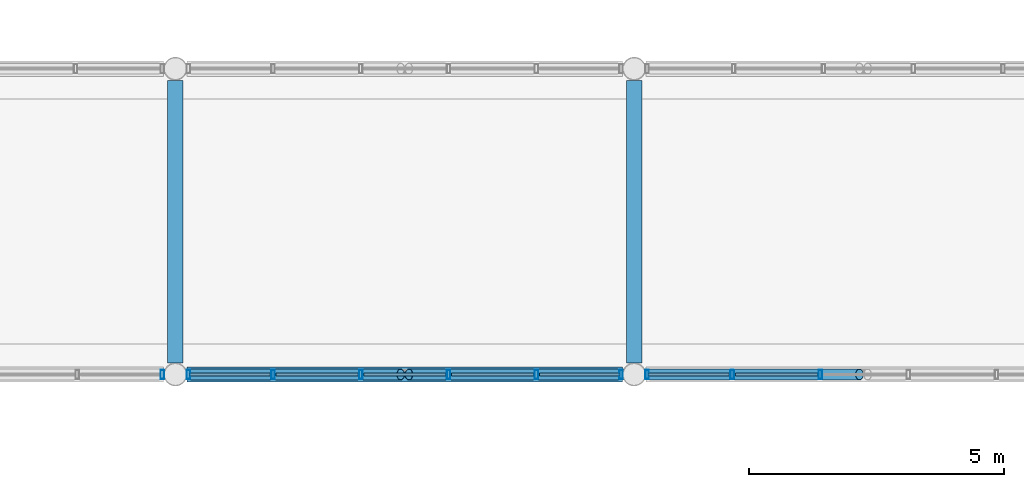
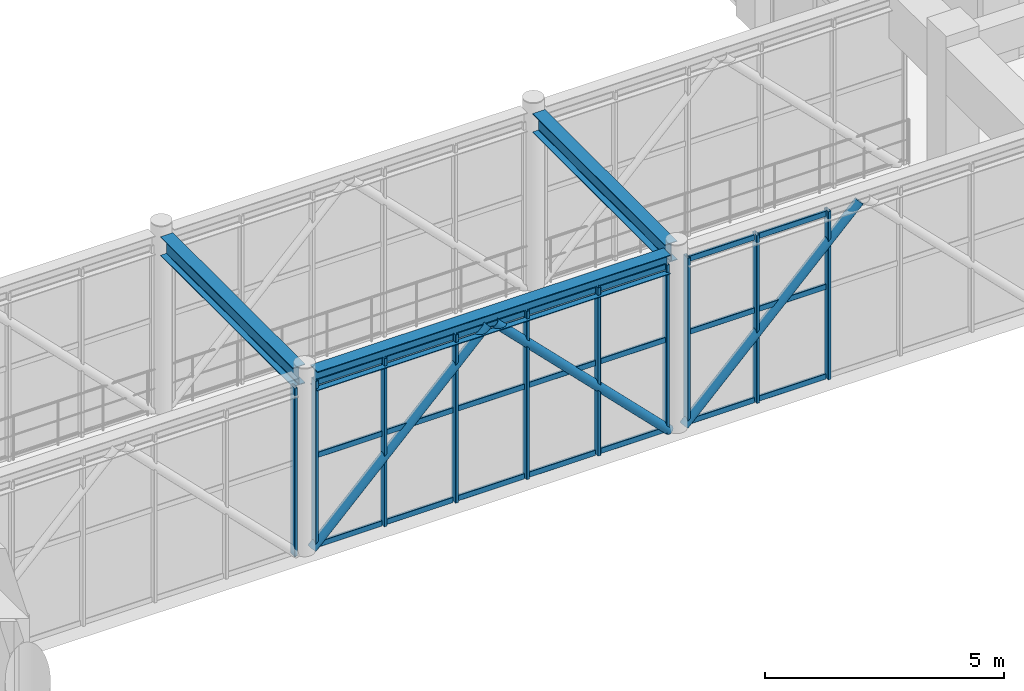
# One storey, part 59 of 178: 34 members, 3 beams, 3 elements without a shape of their own.
"""IFC4 building model written with IfcOpenShell, lengths in metres."""

from ifc_helpers import new_model, si_unit, derived_unit, direction, frame, origin, origin_2d, place, context, subcontext, project, spatial, hollow_rectangle, hollow_circle, i_section, extrude, material, material_profile, profile_set, type_object, element, aggregate, save


model = new_model("IFC4")

# Units and contexts
model_context = context("Model", 3, precision=1e-05, world=origin(), true_north=direction((0.0, 1.0)))
body_context = subcontext(model_context, "Body", "Model", "MODEL_VIEW")
ifc_project = project(units=[si_unit("LENGTHUNIT", "METRE"), si_unit("AREAUNIT", "SQUARE_METRE"), si_unit("VOLUMEUNIT", "CUBIC_METRE"), si_unit("PLANEANGLEUNIT", "RADIAN"), si_unit("MASSUNIT", "GRAM", prefix="KILO"), derived_unit("THERMALTRANSMITTANCEUNIT", [(si_unit("MASSUNIT", "GRAM", prefix="KILO"), 1), (si_unit("TIMEUNIT", "SECOND"), -3), (si_unit("THERMODYNAMICTEMPERATUREUNIT", "KELVIN"), -1)])], contexts=[model_context])

# Site, building, storey
site_placement = place(None, origin())
site = spatial("IfcSite", under=ifc_project, at=site_placement, CompositionType="ELEMENT")
building_placement = place(site_placement, origin())
building = spatial("IfcBuilding", under=site, at=building_placement, Name="Zhenchuan Archway Interchange", CompositionType="ELEMENT")
storey_placement = place(building_placement, frame((0.0, 0.0, 5.39990234375)))
storey = spatial("IfcBuildingStorey", under=building, at=storey_placement, Name="L01", CompositionType="ELEMENT", Elevation=5.39990234375)

# Beams
ifc_material_1 = material(Name="Steel Q390", Category="steel")
ifc_material_profile_1 = material_profile(ifc_material_1, i_section(OverallWidth=0.300048828125, OverallDepth=0.488037109375, WebThickness=0.010986328125, FlangeThickness=0.01806640625, FilletRadius=0.02197265625, at=origin_2d()), Name="HM 488x300")
ifc_profile_set_1 = profile_set([ifc_material_profile_1], Name="Steel Q390")
beam_type = type_object("IfcBeamType", Name="BM_STL_HM488", PredefinedType="BEAM", material=ifc_profile_set_1)
beam_placement = place(storey_placement, frame((81.228515625, 52.0, 4.336181640625), z_axis=(1.0, 0.0, 0.0), x_axis=(0.0, 1.0, 0.0)))
element("IfcBeam", 1, at=beam_placement, inside=storey, type_object=beam_type, Name="Footbridge roof chord girder M-S (L01)", PredefinedType="BEAM", context=body_context, shape_type="SweptSolid", body=[
    extrude(i_section(OverallWidth=0.300048828125, OverallDepth=0.488037109375, WebThickness=0.010986328125, FlangeThickness=0.01806640625, FilletRadius=0.02197265625, at=origin_2d()), origin(), (0.0, 0.0, 1.0), 8.54296875),
])
for number, where, z_axis, x_axis, name in (
    (2, (81.0, 52.22998046875, 4.336181640625), (0.0, 1.0, 0.0), (-1.0, 0.0, 0.0), "Footbridge roof portal beam M1 (L01)"),
    (3, (90.0, 52.22998046875, 4.336181640625), (0.0, 1.0, 0.0), (-1.0, 0.0, 0.0), "Footbridge roof portal beam M2 (L01)"),
):
    element("IfcBeam", number, at=place(storey_placement, frame(where, z_axis=z_axis, x_axis=x_axis)), inside=storey, type_object=beam_type, Name=name, PredefinedType="BEAM", context=body_context, shape_type="SweptSolid", body=[
        extrude(i_section(OverallWidth=0.300048828125, OverallDepth=0.488037109375, WebThickness=0.010986328125, FlangeThickness=0.01806640625, FilletRadius=0.02197265625, at=origin_2d()), origin(), (0.0, 0.0, 1.0), 5.5400390625),
    ])

# Curtain wall, members
ifc_material_2 = material(Name="Anodised Aluminium", Category="aluminium")
curtain_wall_type_1 = type_object("IfcCurtainWallType", Name="CW_UNIT_4", PredefinedType="NOTDEFINED", material=ifc_material_2)
curtain_wall_1_placement = place(storey_placement, origin())
curtain_wall_1 = element("IfcCurtainWall", 4, at=curtain_wall_1_placement, inside=storey, type_object=curtain_wall_type_1, Name="Unitised curtain wall CW:L01:075", PredefinedType="NOTDEFINED")
ifc_material_profile_2 = material_profile(ifc_material_2, hollow_rectangle(XDim=0.070068359375, YDim=0.179931640625, WallThickness=0.00390625, InnerFilletRadius=0.00390625, OuterFilletRadius=0.008056640625, at=origin_2d()), Name="ALU 180x70x4")
ifc_profile_set_2 = profile_set([ifc_material_profile_2], Name="Anodised Aluminium")
member_type_1 = type_object("IfcMemberType", Name="CW_MUL_180", PredefinedType="MULLION", material=ifc_profile_set_2)
member_1_placement = place(storey_placement, frame((93.6533203125, 52.0, 0.0), z_axis=(0.0, 0.0, 1.0), x_axis=(1.0, 0.0, 0.0)))
member_1 = element("IfcMember", 5, at=member_1_placement, type_object=member_type_1, Name="CW:L01:075 mullion 3", PredefinedType="MULLION", context=body_context, shape_type="SweptSolid", body=[
    extrude(hollow_rectangle(XDim=0.070068359375, YDim=0.179931640625, WallThickness=0.00390625, InnerFilletRadius=0.00390625, OuterFilletRadius=0.008056640625, at=origin_2d()), origin(), (0.0, 0.0, 1.0), 4.300048828125),
])
member_2_placement = place(storey_placement, frame((91.92431640625, 52.0, 0.0), z_axis=(0.0, 0.0, 1.0), x_axis=(1.0, 0.0, 0.0)))
member_2 = element("IfcMember", 6, at=member_2_placement, type_object=member_type_1, Name="CW:L01:075 mullion 4", PredefinedType="MULLION", context=body_context, shape_type="SweptSolid", body=[
    extrude(hollow_rectangle(XDim=0.070068359375, YDim=0.179931640625, WallThickness=0.00390625, InnerFilletRadius=0.00390625, OuterFilletRadius=0.008056640625, at=origin_2d()), origin(), (0.0, 0.0, 1.0), 4.300048828125),
])
member_3_placement = place(storey_placement, frame((90.255615234375, 52.0, 0.0), z_axis=(0.0, 0.0, 1.0), x_axis=(1.0, 0.0, 0.0)))
member_3 = element("IfcMember", 7, at=member_3_placement, type_object=member_type_1, Name="CW:L01:075 mullion 5", PredefinedType="MULLION", context=body_context, shape_type="SweptSolid", body=[
    extrude(hollow_rectangle(XDim=0.070068359375, YDim=0.179931640625, WallThickness=0.00390625, InnerFilletRadius=0.00390625, OuterFilletRadius=0.008056640625, at=origin_2d()), origin(), (0.0, 0.0, 1.0), 4.300048828125),
])

curtain_wall_type_2 = type_object("IfcCurtainWallType", Name="CW_UNIT_1", PredefinedType="NOTDEFINED", material=ifc_material_2)
curtain_wall_2_placement = place(storey_placement, origin())
curtain_wall_2 = element("IfcCurtainWall", 8, at=curtain_wall_2_placement, inside=storey, type_object=curtain_wall_type_2, Name="Unitised curtain wall CW:L01:076", PredefinedType="NOTDEFINED")
member_4_placement = place(storey_placement, frame((89.744384765625, 52.0, 0.0), z_axis=(0.0, 0.0, 1.0), x_axis=(1.0, 0.0, 0.0)))
member_4 = element("IfcMember", 9, at=member_4_placement, type_object=member_type_1, Name="CW:L01:076 mullion 0", PredefinedType="MULLION", context=body_context, shape_type="SweptSolid", body=[
    extrude(hollow_rectangle(XDim=0.070068359375, YDim=0.179931640625, WallThickness=0.00390625, InnerFilletRadius=0.00390625, OuterFilletRadius=0.008056640625, at=origin_2d()), origin(), (0.0, 0.0, 1.0), 4.300048828125),
])
member_5_placement = place(storey_placement, frame((88.082763671875, 52.0, 0.0), z_axis=(0.0, 0.0, 1.0), x_axis=(1.0, 0.0, 0.0)))
member_5 = element("IfcMember", 10, at=member_5_placement, type_object=member_type_1, Name="CW:L01:076 mullion 1", PredefinedType="MULLION", context=body_context, shape_type="SweptSolid", body=[
    extrude(hollow_rectangle(XDim=0.070068359375, YDim=0.179931640625, WallThickness=0.00390625, InnerFilletRadius=0.00390625, OuterFilletRadius=0.008056640625, at=origin_2d()), origin(), (0.0, 0.0, 1.0), 4.300048828125),
])
member_6_placement = place(storey_placement, frame((86.36083984375, 52.0, 0.0), z_axis=(0.0, 0.0, 1.0), x_axis=(1.0, 0.0, 0.0)))
member_6 = element("IfcMember", 11, at=member_6_placement, type_object=member_type_1, Name="CW:L01:076 mullion 2", PredefinedType="MULLION", context=body_context, shape_type="SweptSolid", body=[
    extrude(hollow_rectangle(XDim=0.070068359375, YDim=0.179931640625, WallThickness=0.00390625, InnerFilletRadius=0.00390625, OuterFilletRadius=0.008056640625, at=origin_2d()), origin(), (0.0, 0.0, 1.0), 4.300048828125),
])
member_7_placement = place(storey_placement, frame((84.63916015625, 52.0, 0.0), z_axis=(0.0, 0.0, 1.0), x_axis=(1.0, 0.0, 0.0)))
member_7 = element("IfcMember", 12, at=member_7_placement, type_object=member_type_1, Name="CW:L01:076 mullion 3", PredefinedType="MULLION", context=body_context, shape_type="SweptSolid", body=[
    extrude(hollow_rectangle(XDim=0.070068359375, YDim=0.179931640625, WallThickness=0.00390625, InnerFilletRadius=0.00390625, OuterFilletRadius=0.008056640625, at=origin_2d()), origin(), (0.0, 0.0, 1.0), 4.300048828125),
])
member_8_placement = place(storey_placement, frame((82.917236328125, 52.0, 0.0), z_axis=(0.0, 0.0, 1.0), x_axis=(1.0, 0.0, 0.0)))
member_8 = element("IfcMember", 13, at=member_8_placement, type_object=member_type_1, Name="CW:L01:076 mullion 4", PredefinedType="MULLION", context=body_context, shape_type="SweptSolid", body=[
    extrude(hollow_rectangle(XDim=0.070068359375, YDim=0.179931640625, WallThickness=0.00390625, InnerFilletRadius=0.00390625, OuterFilletRadius=0.008056640625, at=origin_2d()), origin(), (0.0, 0.0, 1.0), 4.300048828125),
])
member_9_placement = place(storey_placement, frame((81.255615234375, 52.0, 0.0), z_axis=(0.0, 0.0, 1.0), x_axis=(1.0, 0.0, 0.0)))
member_9 = element("IfcMember", 14, at=member_9_placement, type_object=member_type_1, Name="CW:L01:076 mullion 5", PredefinedType="MULLION", context=body_context, shape_type="SweptSolid", body=[
    extrude(hollow_rectangle(XDim=0.070068359375, YDim=0.179931640625, WallThickness=0.00390625, InnerFilletRadius=0.00390625, OuterFilletRadius=0.008056640625, at=origin_2d()), origin(), (0.0, 0.0, 1.0), 4.300048828125),
])

# Curtain wall, member
curtain_wall_type_3 = type_object("IfcCurtainWallType", Name="CW_UNIT_2", PredefinedType="NOTDEFINED", material=ifc_material_2)
curtain_wall_3_placement = place(storey_placement, origin())
curtain_wall_3 = element("IfcCurtainWall", 15, at=curtain_wall_3_placement, inside=storey, type_object=curtain_wall_type_3, Name="Unitised curtain wall CW:L01:077", PredefinedType="NOTDEFINED")
member_10_placement = place(storey_placement, frame((80.744384765625, 52.0, 0.0), z_axis=(0.0, 0.0, 1.0), x_axis=(1.0, 0.0, 0.0)))
member_10 = element("IfcMember", 16, at=member_10_placement, type_object=member_type_1, Name="CW:L01:077 mullion 0", PredefinedType="MULLION", context=body_context, shape_type="SweptSolid", body=[
    extrude(hollow_rectangle(XDim=0.070068359375, YDim=0.179931640625, WallThickness=0.00390625, InnerFilletRadius=0.00390625, OuterFilletRadius=0.008056640625, at=origin_2d()), origin(), (0.0, 0.0, 1.0), 4.300048828125),
])
aggregate(curtain_wall_3, [member_10])

# Member
ifc_material_profile_3 = material_profile(ifc_material_2, hollow_rectangle(XDim=0.06005859375, YDim=0.139892578125, WallThickness=0.00341796875, InnerFilletRadius=0.00341796875, OuterFilletRadius=0.007080078125, at=origin_2d()), Name="ALU 140x60x3.5")
ifc_profile_set_3 = profile_set([ifc_material_profile_3], Name="Anodised Aluminium")
member_type_2 = type_object("IfcMemberType", Name="CW_TRN_140", PredefinedType="USERDEFINED", material=ifc_profile_set_3)
member_11_placement = place(storey_placement, frame((93.59326171875, 52.0, 0.06005859375), z_axis=(-1.0, 0.0, 0.0), x_axis=(0.0, -1.0, 0.0)))
member_11 = element("IfcMember", 17, at=member_11_placement, type_object=member_type_2, Name="CW:L01:075 transom 3-1", ObjectType="TRANSOM", PredefinedType="USERDEFINED", context=body_context, shape_type="SweptSolid", body=[
    extrude(hollow_rectangle(XDim=0.06005859375, YDim=0.139892578125, WallThickness=0.00341796875, InnerFilletRadius=0.00341796875, OuterFilletRadius=0.007080078125, at=origin_2d()), origin(), (0.0, 0.0, 1.0), 1.60888671875),
])

member_12_placement = place(storey_placement, frame((93.59326171875, 52.0, 2.35400390625), z_axis=(-1.0, 0.0, 0.0), x_axis=(0.0, -1.0, 0.0)))
member_12 = element("IfcMember", 18, at=member_12_placement, type_object=member_type_2, Name="CW:L01:075 transom 3-2", ObjectType="TRANSOM", PredefinedType="USERDEFINED", context=body_context, shape_type="SweptSolid", body=[
    extrude(hollow_rectangle(XDim=0.06005859375, YDim=0.139892578125, WallThickness=0.00341796875, InnerFilletRadius=0.00341796875, OuterFilletRadius=0.007080078125, at=origin_2d()), origin(), (0.0, 0.0, 1.0), 1.60888671875),
])

member_13_placement = place(storey_placement, frame((93.59326171875, 52.0, 4.22021484375), z_axis=(-1.0, 0.0, 0.0), x_axis=(0.0, -1.0, 0.0)))
member_13 = element("IfcMember", 19, at=member_13_placement, type_object=member_type_2, Name="CW:L01:075 transom 3-3", ObjectType="TRANSOM", PredefinedType="USERDEFINED", context=body_context, shape_type="SweptSolid", body=[
    extrude(hollow_rectangle(XDim=0.06005859375, YDim=0.139892578125, WallThickness=0.00341796875, InnerFilletRadius=0.00341796875, OuterFilletRadius=0.007080078125, at=origin_2d()), origin(), (0.0, 0.0, 1.0), 1.60888671875),
])

member_14_placement = place(storey_placement, frame((91.864501953125, 52.0, 0.06005859375), z_axis=(-1.0, 0.0, 0.0), x_axis=(0.0, -1.0, 0.0)))
member_14 = element("IfcMember", 20, at=member_14_placement, type_object=member_type_2, Name="CW:L01:075 transom 4-1", ObjectType="TRANSOM", PredefinedType="USERDEFINED", context=body_context, shape_type="SweptSolid", body=[
    extrude(hollow_rectangle(XDim=0.06005859375, YDim=0.139892578125, WallThickness=0.00341796875, InnerFilletRadius=0.00341796875, OuterFilletRadius=0.007080078125, at=origin_2d()), origin(), (0.0, 0.0, 1.0), 1.589111328125),
])

member_15_placement = place(storey_placement, frame((91.864501953125, 52.0, 2.35400390625), z_axis=(-1.0, 0.0, 0.0), x_axis=(0.0, -1.0, 0.0)))
member_15 = element("IfcMember", 21, at=member_15_placement, type_object=member_type_2, Name="CW:L01:075 transom 4-2", ObjectType="TRANSOM", PredefinedType="USERDEFINED", context=body_context, shape_type="SweptSolid", body=[
    extrude(hollow_rectangle(XDim=0.06005859375, YDim=0.139892578125, WallThickness=0.00341796875, InnerFilletRadius=0.00341796875, OuterFilletRadius=0.007080078125, at=origin_2d()), origin(), (0.0, 0.0, 1.0), 1.589111328125),
])

member_16_placement = place(storey_placement, frame((91.864501953125, 52.0, 4.22021484375), z_axis=(-1.0, 0.0, 0.0), x_axis=(0.0, -1.0, 0.0)))
member_16 = element("IfcMember", 22, at=member_16_placement, type_object=member_type_2, Name="CW:L01:075 transom 4-3", ObjectType="TRANSOM", PredefinedType="USERDEFINED", context=body_context, shape_type="SweptSolid", body=[
    extrude(hollow_rectangle(XDim=0.06005859375, YDim=0.139892578125, WallThickness=0.00341796875, InnerFilletRadius=0.00341796875, OuterFilletRadius=0.007080078125, at=origin_2d()), origin(), (0.0, 0.0, 1.0), 1.589111328125),
])

aggregate(curtain_wall_1, [member_1, member_2, member_3, member_11, member_12, member_13, member_14, member_15, member_16])

member_17_placement = place(storey_placement, frame((89.724609375, 52.0, 0.06005859375), z_axis=(-1.0, 0.0, 0.0), x_axis=(0.0, -1.0, 0.0)))
member_17 = element("IfcMember", 23, at=member_17_placement, type_object=member_type_2, Name="CW:L01:076 transom 0-1", ObjectType="TRANSOM", PredefinedType="USERDEFINED", context=body_context, shape_type="SweptSolid", body=[
    extrude(hollow_rectangle(XDim=0.06005859375, YDim=0.139892578125, WallThickness=0.00341796875, InnerFilletRadius=0.00341796875, OuterFilletRadius=0.007080078125, at=origin_2d()), origin(), (0.0, 0.0, 1.0), 1.58203125),
])

member_18_placement = place(storey_placement, frame((89.724609375, 52.0, 2.35400390625), z_axis=(-1.0, 0.0, 0.0), x_axis=(0.0, -1.0, 0.0)))
member_18 = element("IfcMember", 24, at=member_18_placement, type_object=member_type_2, Name="CW:L01:076 transom 0-2", ObjectType="TRANSOM", PredefinedType="USERDEFINED", context=body_context, shape_type="SweptSolid", body=[
    extrude(hollow_rectangle(XDim=0.06005859375, YDim=0.139892578125, WallThickness=0.00341796875, InnerFilletRadius=0.00341796875, OuterFilletRadius=0.007080078125, at=origin_2d()), origin(), (0.0, 0.0, 1.0), 1.58203125),
])

member_19_placement = place(storey_placement, frame((89.724609375, 52.0, 4.22021484375), z_axis=(-1.0, 0.0, 0.0), x_axis=(0.0, -1.0, 0.0)))
member_19 = element("IfcMember", 25, at=member_19_placement, type_object=member_type_2, Name="CW:L01:076 transom 0-3", ObjectType="TRANSOM", PredefinedType="USERDEFINED", context=body_context, shape_type="SweptSolid", body=[
    extrude(hollow_rectangle(XDim=0.06005859375, YDim=0.139892578125, WallThickness=0.00341796875, InnerFilletRadius=0.00341796875, OuterFilletRadius=0.007080078125, at=origin_2d()), origin(), (0.0, 0.0, 1.0), 1.58203125),
])

member_20_placement = place(storey_placement, frame((88.022705078125, 52.0, 0.06005859375), z_axis=(-1.0, 0.0, 0.0), x_axis=(0.0, -1.0, 0.0)))
member_20 = element("IfcMember", 26, at=member_20_placement, type_object=member_type_2, Name="CW:L01:076 transom 1-1", ObjectType="TRANSOM", PredefinedType="USERDEFINED", context=body_context, shape_type="SweptSolid", body=[
    extrude(hollow_rectangle(XDim=0.06005859375, YDim=0.139892578125, WallThickness=0.00341796875, InnerFilletRadius=0.00341796875, OuterFilletRadius=0.007080078125, at=origin_2d()), origin(), (0.0, 0.0, 1.0), 1.601806640625),
])

member_21_placement = place(storey_placement, frame((88.022705078125, 52.0, 2.35400390625), z_axis=(-1.0, 0.0, 0.0), x_axis=(0.0, -1.0, 0.0)))
member_21 = element("IfcMember", 27, at=member_21_placement, type_object=member_type_2, Name="CW:L01:076 transom 1-2", ObjectType="TRANSOM", PredefinedType="USERDEFINED", context=body_context, shape_type="SweptSolid", body=[
    extrude(hollow_rectangle(XDim=0.06005859375, YDim=0.139892578125, WallThickness=0.00341796875, InnerFilletRadius=0.00341796875, OuterFilletRadius=0.007080078125, at=origin_2d()), origin(), (0.0, 0.0, 1.0), 1.601806640625),
])

member_22_placement = place(storey_placement, frame((88.022705078125, 52.0, 4.22021484375), z_axis=(-1.0, 0.0, 0.0), x_axis=(0.0, -1.0, 0.0)))
member_22 = element("IfcMember", 28, at=member_22_placement, type_object=member_type_2, Name="CW:L01:076 transom 1-3", ObjectType="TRANSOM", PredefinedType="USERDEFINED", context=body_context, shape_type="SweptSolid", body=[
    extrude(hollow_rectangle(XDim=0.06005859375, YDim=0.139892578125, WallThickness=0.00341796875, InnerFilletRadius=0.00341796875, OuterFilletRadius=0.007080078125, at=origin_2d()), origin(), (0.0, 0.0, 1.0), 1.601806640625),
])

member_23_placement = place(storey_placement, frame((86.30078125, 52.0, 0.06005859375), z_axis=(-1.0, 0.0, 0.0), x_axis=(0.0, -1.0, 0.0)))
member_23 = element("IfcMember", 29, at=member_23_placement, type_object=member_type_2, Name="CW:L01:076 transom 2-1", ObjectType="TRANSOM", PredefinedType="USERDEFINED", context=body_context, shape_type="SweptSolid", body=[
    extrude(hollow_rectangle(XDim=0.06005859375, YDim=0.139892578125, WallThickness=0.00341796875, InnerFilletRadius=0.00341796875, OuterFilletRadius=0.007080078125, at=origin_2d()), origin(), (0.0, 0.0, 1.0), 1.6015625),
])

member_24_placement = place(storey_placement, frame((86.30078125, 52.0, 2.35400390625), z_axis=(-1.0, 0.0, 0.0), x_axis=(0.0, -1.0, 0.0)))
member_24 = element("IfcMember", 30, at=member_24_placement, type_object=member_type_2, Name="CW:L01:076 transom 2-2", ObjectType="TRANSOM", PredefinedType="USERDEFINED", context=body_context, shape_type="SweptSolid", body=[
    extrude(hollow_rectangle(XDim=0.06005859375, YDim=0.139892578125, WallThickness=0.00341796875, InnerFilletRadius=0.00341796875, OuterFilletRadius=0.007080078125, at=origin_2d()), origin(), (0.0, 0.0, 1.0), 1.6015625),
])

member_25_placement = place(storey_placement, frame((86.30078125, 52.0, 4.22021484375), z_axis=(-1.0, 0.0, 0.0), x_axis=(0.0, -1.0, 0.0)))
member_25 = element("IfcMember", 31, at=member_25_placement, type_object=member_type_2, Name="CW:L01:076 transom 2-3", ObjectType="TRANSOM", PredefinedType="USERDEFINED", context=body_context, shape_type="SweptSolid", body=[
    extrude(hollow_rectangle(XDim=0.06005859375, YDim=0.139892578125, WallThickness=0.00341796875, InnerFilletRadius=0.00341796875, OuterFilletRadius=0.007080078125, at=origin_2d()), origin(), (0.0, 0.0, 1.0), 1.6015625),
])

member_26_placement = place(storey_placement, frame((84.5791015625, 52.0, 0.06005859375), z_axis=(-1.0, 0.0, 0.0), x_axis=(0.0, -1.0, 0.0)))
member_26 = element("IfcMember", 32, at=member_26_placement, type_object=member_type_2, Name="CW:L01:076 transom 3-1", ObjectType="TRANSOM", PredefinedType="USERDEFINED", context=body_context, shape_type="SweptSolid", body=[
    extrude(hollow_rectangle(XDim=0.06005859375, YDim=0.139892578125, WallThickness=0.00341796875, InnerFilletRadius=0.00341796875, OuterFilletRadius=0.007080078125, at=origin_2d()), origin(), (0.0, 0.0, 1.0), 1.601806640625),
])

member_27_placement = place(storey_placement, frame((84.5791015625, 52.0, 2.35400390625), z_axis=(-1.0, 0.0, 0.0), x_axis=(0.0, -1.0, 0.0)))
member_27 = element("IfcMember", 33, at=member_27_placement, type_object=member_type_2, Name="CW:L01:076 transom 3-2", ObjectType="TRANSOM", PredefinedType="USERDEFINED", context=body_context, shape_type="SweptSolid", body=[
    extrude(hollow_rectangle(XDim=0.06005859375, YDim=0.139892578125, WallThickness=0.00341796875, InnerFilletRadius=0.00341796875, OuterFilletRadius=0.007080078125, at=origin_2d()), origin(), (0.0, 0.0, 1.0), 1.601806640625),
])

member_28_placement = place(storey_placement, frame((84.5791015625, 52.0, 4.22021484375), z_axis=(-1.0, 0.0, 0.0), x_axis=(0.0, -1.0, 0.0)))
member_28 = element("IfcMember", 34, at=member_28_placement, type_object=member_type_2, Name="CW:L01:076 transom 3-3", ObjectType="TRANSOM", PredefinedType="USERDEFINED", context=body_context, shape_type="SweptSolid", body=[
    extrude(hollow_rectangle(XDim=0.06005859375, YDim=0.139892578125, WallThickness=0.00341796875, InnerFilletRadius=0.00341796875, OuterFilletRadius=0.007080078125, at=origin_2d()), origin(), (0.0, 0.0, 1.0), 1.601806640625),
])

member_29_placement = place(storey_placement, frame((82.857421875, 52.0, 0.06005859375), z_axis=(-1.0, 0.0, 0.0), x_axis=(0.0, -1.0, 0.0)))
member_29 = element("IfcMember", 35, at=member_29_placement, type_object=member_type_2, Name="CW:L01:076 transom 4-1", ObjectType="TRANSOM", PredefinedType="USERDEFINED", context=body_context, shape_type="SweptSolid", body=[
    extrude(hollow_rectangle(XDim=0.06005859375, YDim=0.139892578125, WallThickness=0.00341796875, InnerFilletRadius=0.00341796875, OuterFilletRadius=0.007080078125, at=origin_2d()), origin(), (0.0, 0.0, 1.0), 1.58203125),
])

member_30_placement = place(storey_placement, frame((82.857421875, 52.0, 2.35400390625), z_axis=(-1.0, 0.0, 0.0), x_axis=(0.0, -1.0, 0.0)))
member_30 = element("IfcMember", 36, at=member_30_placement, type_object=member_type_2, Name="CW:L01:076 transom 4-2", ObjectType="TRANSOM", PredefinedType="USERDEFINED", context=body_context, shape_type="SweptSolid", body=[
    extrude(hollow_rectangle(XDim=0.06005859375, YDim=0.139892578125, WallThickness=0.00341796875, InnerFilletRadius=0.00341796875, OuterFilletRadius=0.007080078125, at=origin_2d()), origin(), (0.0, 0.0, 1.0), 1.58203125),
])

member_31_placement = place(storey_placement, frame((82.857421875, 52.0, 4.22021484375), z_axis=(-1.0, 0.0, 0.0), x_axis=(0.0, -1.0, 0.0)))
member_31 = element("IfcMember", 37, at=member_31_placement, type_object=member_type_2, Name="CW:L01:076 transom 4-3", ObjectType="TRANSOM", PredefinedType="USERDEFINED", context=body_context, shape_type="SweptSolid", body=[
    extrude(hollow_rectangle(XDim=0.06005859375, YDim=0.139892578125, WallThickness=0.00341796875, InnerFilletRadius=0.00341796875, OuterFilletRadius=0.007080078125, at=origin_2d()), origin(), (0.0, 0.0, 1.0), 1.58203125),
])

aggregate(curtain_wall_2, [member_4, member_5, member_6, member_7, member_8, member_9, member_17, member_18, member_19, member_20, member_21, member_22, member_23, member_24, member_25, member_26, member_27, member_28, member_29, member_30, member_31])

# Members
ifc_material_3 = material(Name="Steel Q355", Category="steel")
ifc_material_profile_4 = material_profile(ifc_material_3, hollow_circle(Radius=0.109619140625, WallThickness=0.008056640625, at=origin_2d()), Name="CHS 219x8")
ifc_profile_set_4 = profile_set([ifc_material_profile_4], Name="Steel Q355")
member_type_3 = type_object("IfcMemberType", Name="MB_CHS219", PredefinedType="BRACE", material=ifc_profile_set_4)
for number, where, z_axis, x_axis, name in (
    (38, (81.179931640625, 52.0, 0.0), (0.706272605819, 0.0, 0.707939973634), (0.0, 1.0, 0.0), "Footbridge truss diagonal M-SL"),
    (39, (89.820068359375, 52.0, 0.0), (-0.706272605819, 0.0, 0.707939973634), (0.0, -1.0, 0.0), "Footbridge truss diagonal M-SR"),
    (40, (90.179931640625, 52.0, 0.0), (0.706272605819, 0.0, 0.707939973634), (0.0, 1.0, 0.0), "Footbridge truss diagonal E-SL"),
):
    element("IfcMember", number, at=place(storey_placement, frame(where, z_axis=z_axis, x_axis=x_axis)), inside=storey, type_object=member_type_3, Name=name, PredefinedType="BRACE", context=body_context, shape_type="SweptSolid", body=[
        extrude(hollow_circle(Radius=0.109619140625, WallThickness=0.008056640625, at=origin_2d()), origin(), (0.0, 0.0, 1.0), 6.00341796875),
    ])

save(model, "model.ifc")
